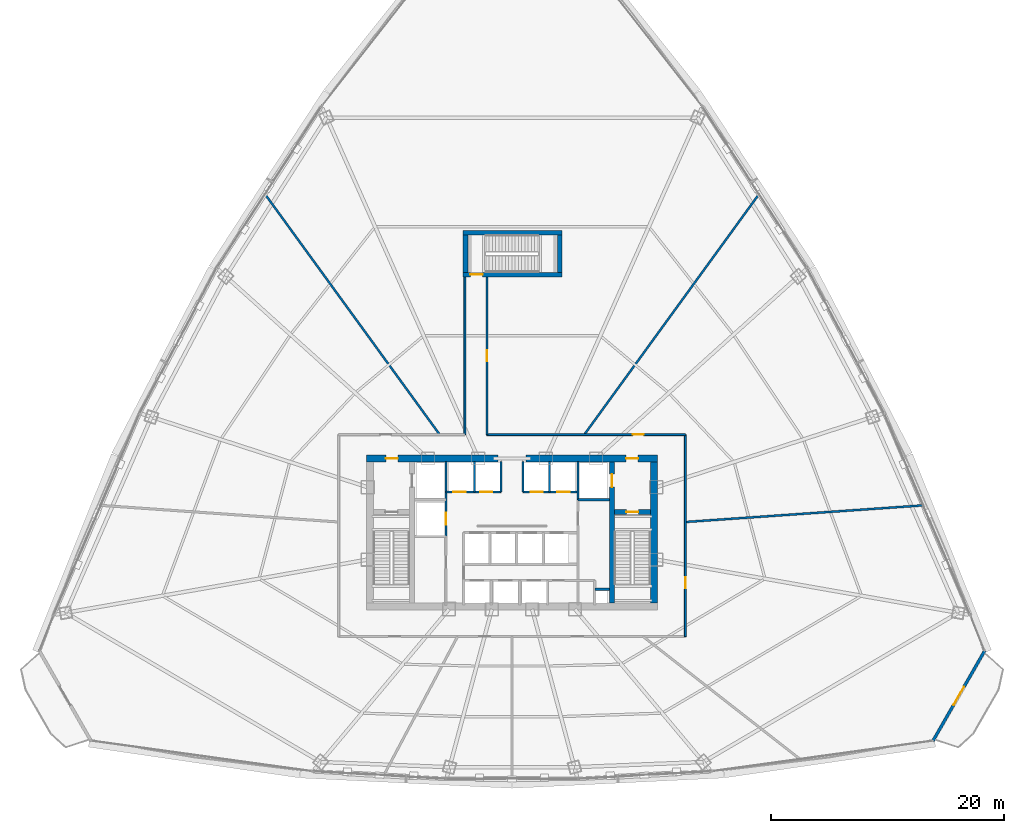
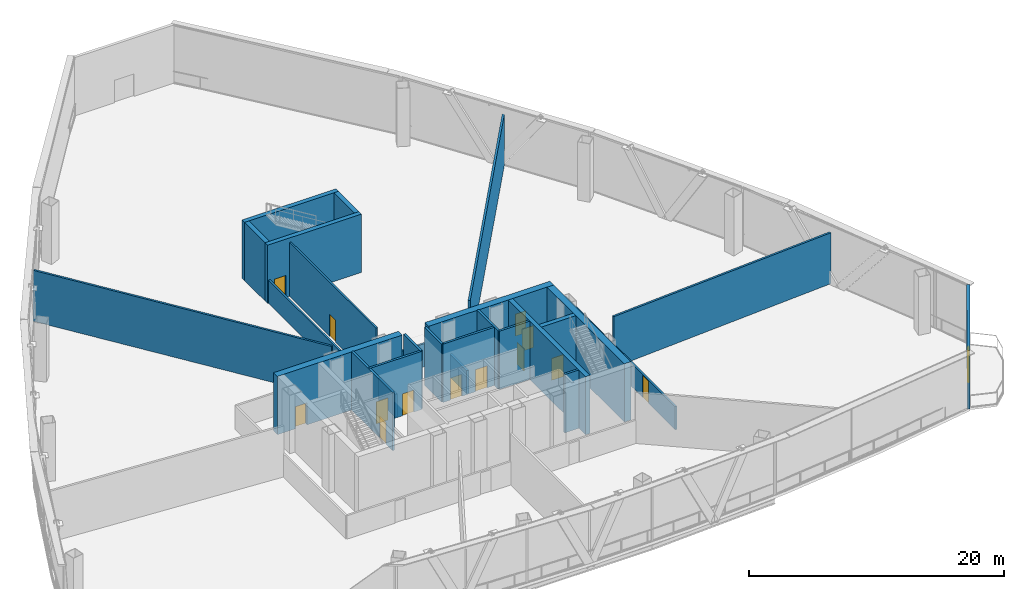
# One storey, part 29 of 36: 27 walls, 14 doors, 14 openings.
"""IFC4 building model written with IfcOpenShell, lengths in metres."""

from ifc_helpers import new_model, si_unit, direction, frame, frame_2d, origin, origin_with_axes, place, context, subcontext, project, spatial, rectangle, extrude, source, transform, mapped, material, layer, layer_set, type_object, element, fill, save


model = new_model("IFC4")

# Units and contexts
model_context = context("Model", 3, precision=1e-05, world=origin(), true_north=direction((0.0, 1.0)))
body_context = subcontext(model_context, "Body", "Model", "MODEL_VIEW")
ifc_project = project(units=[si_unit("LENGTHUNIT", "METRE"), si_unit("AREAUNIT", "SQUARE_METRE"), si_unit("VOLUMEUNIT", "CUBIC_METRE"), si_unit("PLANEANGLEUNIT", "RADIAN"), si_unit("MASSUNIT", "GRAM", prefix="KILO"), si_unit("THERMODYNAMICTEMPERATUREUNIT", "KELVIN"), si_unit("POWERUNIT", "WATT")], contexts=[model_context])

# Site, building, storey
site_placement = place(None, origin())
site = spatial("IfcSite", under=ifc_project, at=site_placement, CompositionType="ELEMENT")
building_placement = place(site_placement, origin())
building = spatial("IfcBuilding", under=site, at=building_placement, Name="Yunzhuo Pagoda Commons", CompositionType="ELEMENT")
storey_placement = place(building_placement, frame((0.0, 0.0, 119.179931640625)))
storey = spatial("IfcBuildingStorey", under=building, at=storey_placement, Name="L30", CompositionType="ELEMENT", Elevation=119.179931640625)

# Wall, opening, door
ifc_material_1 = material(Name="Precast concrete C40", Category="concrete")
ifc_layer_1 = layer(ifc_material_1, 0.260009765625)
ifc_layer_set_1 = layer_set([ifc_layer_1], Name="Precast concrete C40")
wall_type_1 = type_object("IfcWallType", Name="W-BAL1 Corner Balcony Threshold Wall 260", PredefinedType="STANDARD", material=ifc_layer_set_1)
wall_1_placement = place(storey_placement, frame((84.16162109375, 15.89208984375, 0.0), z_axis=(0.0, 0.0, 1.0), x_axis=(0.497936512869, 0.867213485338, 0.0)))
wall_1 = element("IfcWall", 1, at=wall_1_placement, inside=storey, type_object=wall_type_1, Name="L30 corner balcony wall V2", PredefinedType="STANDARD", context=body_context, shape_type="SweptSolid", body=[
    extrude(rectangle(XDim=9.01904296875, YDim=0.260009765625, at=frame_2d((4.509521484375, 0.0))), origin(), (0.0, 0.0, 1.0), 5.570068359375),
])
opening_1_placement = place(wall_1_placement, frame((3.609619140625, 0.0, 0.0)))
opening_1 = element("IfcOpeningElement", 2, at=opening_1_placement, cuts=wall_1, Name="Opening D-BAL1", PredefinedType="OPENING", context=body_context, shape_type="SweptSolid", body=[
    extrude(rectangle(XDim=1.800048828125, YDim=2.14990234375, at=frame_2d((0.89990234375, 1.074951171875))), frame((0.0, 0.14013671875, 0.0), z_axis=(0.0, -1.0, 0.0), x_axis=(1.0, 0.0, 0.0)), (0.0, 0.0, 1.0), 0.280029296875),
])
ifc_material_2 = material(Name="Anodized aluminium frame and tempered glazed leaf", Category="aluminium")
door_type_1 = type_object("IfcDoorType", Name="D-BAL1 Corner Balcony Sliding Glazed Door 1800x2150", OperationType="DOUBLE_DOOR_SLIDING", PredefinedType="DOOR", material=ifc_material_2)
shared_shape_1 = source(origin(), body_context, "Body", "SweptSolid", [
    extrude(rectangle(XDim=1.800048828125, YDim=2.14990234375, at=frame_2d((0.89990234375, 1.074951171875))), frame((0.0, 0.02490234375, 0.0), z_axis=(0.0, -1.0, 0.0), x_axis=(1.0, 0.0, 0.0)), (0.0, 0.0, 1.0), 0.050048828125),
])
door_1_placement = place(opening_1_placement, origin_with_axes())
door_1 = element("IfcDoor", 3, at=door_1_placement, inside=storey, type_object=door_type_1, Name="L30 corner balcony sliding door V2", OperationType="DOUBLE_DOOR_SLIDING", OverallHeight=2.14990234375, OverallWidth=1.800048828125, PredefinedType="DOOR", context=body_context, shape_type="MappedRepresentation", body=[
    mapped(shared_shape_1, transform((0.0, 0.0, 0.0), scale=1.0)),
])
fill(opening_1, door_1)

ifc_material_3 = material(Name="Concrete C60", Category="concrete")
ifc_layer_2 = layer(ifc_material_3, 0.60009765625)
ifc_layer_set_2 = layer_set([ifc_layer_2], Name="Concrete C60")
wall_type_2 = type_object("IfcWallType", Name="W-C02 Mid Core Shear Wall 600", PredefinedType="SHEAR", material=ifc_layer_set_2)
wall_2_placement = place(storey_placement, frame((35.5, 40.199951171875, 0.0), z_axis=(0.0, 0.0, 1.0), x_axis=(1.0, 0.0, 0.0)))
wall_2 = element("IfcWall", 4, at=wall_2_placement, inside=storey, type_object=wall_type_2, Name="L30 core shear wall NW", PredefinedType="SHEAR", context=body_context, shape_type="SweptSolid", body=[
    extrude(rectangle(XDim=11.300048828125, YDim=0.60009765625, at=frame_2d((5.64990234375, 0.0))), origin(), (0.0, 0.0, 1.0), 5.570068359375),
])
opening_2_placement = place(wall_2_placement, frame((1.64990234375, 0.0, 0.0)))
opening_2 = element("IfcOpeningElement", 5, at=opening_2_placement, cuts=wall_2, Name="Opening D-02", PredefinedType="OPENING", context=body_context, shape_type="SweptSolid", body=[
    extrude(rectangle(XDim=1.050048828125, YDim=2.10009765625, at=frame_2d((0.52490234375, 1.050048828125))), frame((0.0, 0.31005859375, 0.0), z_axis=(0.0, -1.0, 0.0), x_axis=(1.0, 0.0, 0.0)), (0.0, 0.0, 1.0), 0.6201171875),
])
ifc_material_4 = material(Name="Galvanized fire-resisting metal leaf")
door_type_2 = type_object("IfcDoorType", Name="D-02 Firefighting Lobby & Refuge Fire Door 1050x2100", OperationType="NOTDEFINED", PredefinedType="DOOR", material=ifc_material_4)
shared_shape_2 = source(origin(), body_context, "Body", "SweptSolid", [
    extrude(rectangle(XDim=1.050048828125, YDim=2.10009765625, at=frame_2d((0.52490234375, 1.050048828125))), frame((0.0, 0.02490234375, 0.0), z_axis=(0.0, -1.0, 0.0), x_axis=(1.0, 0.0, 0.0)), (0.0, 0.0, 1.0), 0.050048828125),
])
door_2_placement = place(opening_2_placement, frame((1.050048828125, 0.0, 0.0), z_axis=(0.0, 0.0, 1.0), x_axis=(-1.0, 0.0, 0.0)))
door_2 = element("IfcDoor", 6, at=door_2_placement, inside=storey, type_object=door_type_2, Name="L30 Firefighting Lobby 1 fire door", OperationType="SINGLE_SWING_LEFT", OverallHeight=2.10009765625, OverallWidth=1.050048828125, PredefinedType="DOOR", context=body_context, shape_type="MappedRepresentation", body=[
    mapped(shared_shape_2, transform((0.0, 0.0, 0.0), scale=1.0)),
])
fill(opening_2, door_2)

wall_3_placement = place(storey_placement, frame((49.199951171875, 40.199951171875, 0.0), z_axis=(0.0, 0.0, 1.0), x_axis=(1.0, 0.0, 0.0)))
wall_3 = element("IfcWall", 7, at=wall_3_placement, inside=storey, type_object=wall_type_2, Name="L30 core shear wall NE", PredefinedType="SHEAR", context=body_context, shape_type="SweptSolid", body=[
    extrude(rectangle(XDim=11.300048828125, YDim=0.60009765625, at=frame_2d((5.64990234375, 0.0))), origin(), (0.0, 0.0, 1.0), 5.570068359375),
])
opening_3_placement = place(wall_3_placement, frame((8.60009765625, 0.0, 0.0)))
opening_3 = element("IfcOpeningElement", 8, at=opening_3_placement, cuts=wall_3, Name="Opening D-02", PredefinedType="OPENING", context=body_context, shape_type="SweptSolid", body=[
    extrude(rectangle(XDim=1.050048828125, YDim=2.10009765625, at=frame_2d((0.52490234375, 1.050048828125))), frame((0.0, 0.31005859375, 0.0), z_axis=(0.0, -1.0, 0.0), x_axis=(1.0, 0.0, 0.0)), (0.0, 0.0, 1.0), 0.6201171875),
])
door_3_placement = place(opening_3_placement, frame((1.050048828125, 0.0, 0.0), z_axis=(0.0, 0.0, 1.0), x_axis=(-1.0, 0.0, 0.0)))
door_3 = element("IfcDoor", 9, at=door_3_placement, inside=storey, type_object=door_type_2, Name="L30 Firefighting Lobby 2 fire door", OperationType="SINGLE_SWING_RIGHT", OverallHeight=2.10009765625, OverallWidth=1.050048828125, PredefinedType="DOOR", context=body_context, shape_type="MappedRepresentation", body=[
    mapped(shared_shape_2, transform((0.0, 0.0, 0.0), scale=1.0)),
])
fill(opening_3, door_3)

# Wall
wall_4_placement = place(storey_placement, frame((60.199951171875, 27.800048828125, 0.0), z_axis=(0.0, 0.0, 1.0), x_axis=(0.0, 1.0, 0.0)))
element("IfcWall", 10, at=wall_4_placement, inside=storey, type_object=wall_type_2, Name="L30 core shear wall E", PredefinedType="SHEAR", context=body_context, shape_type="SweptSolid", body=[
    extrude(rectangle(XDim=12.099853515625, YDim=0.60009765625, at=frame_2d((6.0498046875, 0.0))), origin(), (0.0, 0.0, 1.0), 5.570068359375),
])

# Wall, opening, door
ifc_material_5 = material(Name="Gypsum plasterboard on acoustic stud")
ifc_layer_3 = layer(ifc_material_5, 0.159912109375)
ifc_layer_set_3 = layer_set([ifc_layer_3], Name="Gypsum plasterboard on acoustic stud")
wall_type_3 = type_object("IfcWallType", Name="W-COR1 Tower Rated Corridor Wall 160", PredefinedType="PARTITIONING", material=ifc_layer_set_3)
wall_5_placement = place(storey_placement, frame((45.85009765625, 55.780029296875, 0.0), z_axis=(0.0, 0.0, 1.0), x_axis=(0.0, -1.0, 0.0)))
wall_5 = element("IfcWall", 11, at=wall_5_placement, inside=storey, type_object=wall_type_3, Name="L30 interior wall IW-L30-SCW01", PredefinedType="PARTITIONING", context=body_context, shape_type="SweptSolid", body=[
    extrude(rectangle(XDim=13.530029296875, YDim=0.159912109375, at=frame_2d((6.76513671875, 0.0))), origin(), (0.0, 0.0, 1.0), 5.170166015625),
])
opening_4_placement = place(wall_5_placement, frame((6.2900390625, 0.0, 0.0)))
opening_4 = element("IfcOpeningElement", 12, at=opening_4_placement, cuts=wall_5, Name="Opening D-06", PredefinedType="OPENING", context=body_context, shape_type="SweptSolid", body=[
    extrude(rectangle(XDim=0.949951171875, YDim=2.10009765625, at=frame_2d((0.47509765625, 1.050048828125))), frame((0.0, 0.08984375, 0.0), z_axis=(0.0, -1.0, 0.0), x_axis=(1.0, 0.0, 0.0)), (0.0, 0.0, 1.0), 0.179931640625),
])
door_type_3 = type_object("IfcDoorType", Name="D-06 Co-Living Suite Entrance Fire Door 950x2100", OperationType="NOTDEFINED", PredefinedType="DOOR", material=ifc_material_4)
shared_shape_3 = source(origin(), body_context, "Body", "SweptSolid", [
    extrude(rectangle(XDim=0.949951171875, YDim=2.10009765625, at=frame_2d((0.47509765625, 1.050048828125))), frame((0.0, 0.02490234375, 0.0), z_axis=(0.0, -1.0, 0.0), x_axis=(1.0, 0.0, 0.0)), (0.0, 0.0, 1.0), 0.050048828125),
])
door_4_placement = place(opening_4_placement, origin_with_axes())
door_4 = element("IfcDoor", 13, at=door_4_placement, inside=storey, type_object=door_type_3, Name="L30 Riverfront Study Commons door", OperationType="SINGLE_SWING_RIGHT", OverallHeight=2.10009765625, OverallWidth=0.949951171875, PredefinedType="DOOR", context=body_context, shape_type="MappedRepresentation", body=[
    mapped(shared_shape_3, transform((0.0, 0.0, 0.0), scale=1.0)),
])
fill(opening_4, door_4)

wall_6_placement = place(storey_placement, frame((45.85009765625, 42.25, 0.0), z_axis=(0.0, 0.0, 1.0), x_axis=(1.0, 0.0, 0.0)))
wall_6 = element("IfcWall", 14, at=wall_6_placement, inside=storey, type_object=wall_type_3, Name="L30 interior wall IW-L30-SCW02", PredefinedType="PARTITIONING", context=body_context, shape_type="SweptSolid", body=[
    extrude(rectangle(XDim=17.0498046875, YDim=0.159912109375, at=frame_2d((8.52490234375, 0.0))), origin(), (0.0, 0.0, 1.0), 2.219970703125),
])
opening_5_placement = place(wall_6_placement, frame((12.531005859375, 0.0, 0.0)))
opening_5 = element("IfcOpeningElement", 15, at=opening_5_placement, cuts=wall_6, Name="Opening D-06", PredefinedType="OPENING", context=body_context, shape_type="SweptSolid", body=[
    extrude(rectangle(XDim=0.949951171875, YDim=2.10009765625, at=frame_2d((0.47509765625, 1.050048828125))), frame((0.0, 0.08984375, 0.0), z_axis=(0.0, -1.0, 0.0), x_axis=(1.0, 0.0, 0.0)), (0.0, 0.0, 1.0), 0.179931640625),
])
door_5_placement = place(opening_5_placement, origin_with_axes())
door_5 = element("IfcDoor", 16, at=door_5_placement, inside=storey, type_object=door_type_3, Name="L30 Low-to-Mid Sky Lobby Gallery door", OperationType="SINGLE_SWING_LEFT", OverallHeight=2.10009765625, OverallWidth=0.949951171875, PredefinedType="DOOR", context=body_context, shape_type="MappedRepresentation", body=[
    mapped(shared_shape_3, transform((0.0, 0.0, 0.0), scale=1.0)),
])
fill(opening_5, door_5)

wall_7_placement = place(storey_placement, frame((62.89990234375, 42.25, 0.0), z_axis=(0.0, 0.0, 1.0), x_axis=(0.0, -1.0, 0.0)))
wall_7 = element("IfcWall", 17, at=wall_7_placement, inside=storey, type_object=wall_type_3, Name="L30 interior wall IW-L30-SCW03", PredefinedType="PARTITIONING", context=body_context, shape_type="SweptSolid", body=[
    extrude(rectangle(XDim=17.35009765625, YDim=0.159912109375, at=frame_2d((8.675048828125, 0.0))), origin(), (0.0, 0.0, 1.0), 2.219970703125),
])
opening_6_placement = place(wall_7_placement, frame((12.254150390625, 0.0, 0.0)))
opening_6 = element("IfcOpeningElement", 18, at=opening_6_placement, cuts=wall_7, Name="Opening D-06", PredefinedType="OPENING", context=body_context, shape_type="SweptSolid", body=[
    extrude(rectangle(XDim=0.949951171875, YDim=2.10009765625, at=frame_2d((0.47509765625, 1.050048828125))), frame((0.0, 0.08984375, 0.0), z_axis=(0.0, -1.0, 0.0), x_axis=(1.0, 0.0, 0.0)), (0.0, 0.0, 1.0), 0.179931640625),
])
door_6_placement = place(opening_6_placement, origin_with_axes())
door_6 = element("IfcDoor", 19, at=door_6_placement, inside=storey, type_object=door_type_3, Name="L30 Sky Lobby Reading Commons door", OperationType="SINGLE_SWING_LEFT", OverallHeight=2.10009765625, OverallWidth=0.949951171875, PredefinedType="DOOR", context=body_context, shape_type="MappedRepresentation", body=[
    mapped(shared_shape_3, transform((0.0, 0.0, 0.0), scale=1.0)),
])
fill(opening_6, door_6)

# Walls
wall_8_placement = place(storey_placement, frame((43.949951171875, 42.25, 0.0), z_axis=(0.0, 0.0, 1.0), x_axis=(0.0, 1.0, 0.0)))
element("IfcWall", 20, at=wall_8_placement, inside=storey, type_object=wall_type_3, Name="L30 interior wall IW-L30-SCW07", PredefinedType="PARTITIONING", context=body_context, shape_type="SweptSolid", body=[
    extrude(rectangle(XDim=13.530029296875, YDim=0.159912109375, at=frame_2d((6.76513671875, 0.0))), origin(), (0.0, 0.0, 1.0), 2.219970703125),
])
ifc_layer_4 = layer(ifc_material_5, 0.179931640625)
ifc_layer_set_4 = layer_set([ifc_layer_4], Name="Gypsum plasterboard on acoustic stud")
wall_type_4 = type_object("IfcWallType", Name="W-PRT2 Acoustic Unit Demising Wall 180", PredefinedType="PARTITIONING", material=ifc_layer_set_4)
wall_9_placement = place(storey_placement, frame((62.89990234375, 34.741943359375, 0.0), z_axis=(0.0, 0.0, 1.0), x_axis=(0.99756459993, 0.069748612653, 0.0)))
element("IfcWall", 21, at=wall_9_placement, inside=storey, type_object=wall_type_4, Name="L30 interior wall IW-L30-SRAD1", PredefinedType="PARTITIONING", context=body_context, shape_type="SweptSolid", body=[
    extrude(rectangle(XDim=20.518798828125, YDim=0.179931640625, at=frame_2d((10.25927734375, 0.0))), origin(), (0.0, 0.0, 1.0), 4.8701171875),
])
for number, where, z_axis, x_axis, name in (
    (22, (54.2119140625, 42.25, 0.0), (0.0, 0.0, 1.0), (0.587780549385, 0.809020411216, 0.0), "L30 interior wall IW-L30-SRAD2"),
    (23, (41.7880859375, 42.25, 0.0), (0.0, 0.0, 1.0), (-0.587780549385, 0.809020411216, 0.0), "L30 interior wall IW-L30-SRAD3"),
):
    element("IfcWall", number, at=place(storey_placement, frame(where, z_axis=z_axis, x_axis=x_axis)), inside=storey, type_object=wall_type_4, Name=name, PredefinedType="PARTITIONING", context=body_context, shape_type="SweptSolid", body=[
        extrude(rectangle(XDim=25.574951171875, YDim=0.179931640625, at=frame_2d((12.78759765625, 0.0))), origin(), (0.0, 0.0, 1.0), 4.8701171875),
    ])

# Wall, opening, door
ifc_layer_5 = layer(ifc_material_3, 0.39990234375)
ifc_layer_set_5 = layer_set([ifc_layer_5], Name="Concrete C60")
wall_type_5 = type_object("IfcWallType", Name="W-S01 Internal Core Shear Web 400", PredefinedType="SHEAR", material=ifc_layer_set_5)
wall_10_placement = place(storey_placement, frame((56.60009765625, 27.800048828125, 0.0), z_axis=(0.0, 0.0, 1.0), x_axis=(0.0, 1.0, 0.0)))
wall_10 = element("IfcWall", 24, at=wall_10_placement, inside=storey, type_object=wall_type_5, Name="L30 core shear wall WEBE", PredefinedType="SHEAR", context=body_context, shape_type="SweptSolid", body=[
    extrude(rectangle(XDim=12.099853515625, YDim=0.39990234375, at=frame_2d((6.0498046875, 0.0))), origin(), (0.0, 0.0, 1.0), 5.570068359375),
])
opening_7_placement = place(wall_10_placement, frame((9.949951171875, 0.0, 0.0)))
opening_7 = element("IfcOpeningElement", 25, at=opening_7_placement, cuts=wall_10, Name="Opening LD-01", PredefinedType="OPENING", context=body_context, shape_type="SweptSolid", body=[
    extrude(rectangle(XDim=1.10009765625, YDim=2.10009765625, at=frame_2d((0.550048828125, 1.050048828125))), frame((0.0, 0.2099609375, 0.0), z_axis=(0.0, -1.0, 0.0), x_axis=(1.0, 0.0, 0.0)), (0.0, 0.0, 1.0), 0.419921875),
])
door_type_4 = type_object("IfcDoorType", Name="LD-01 Firefighting Lift Landing Door 1100x2100", OperationType="DOUBLE_DOOR_SLIDING", PredefinedType="DOOR", material=ifc_material_4)
shared_shape_4 = source(origin(), body_context, "Body", "SweptSolid", [
    extrude(rectangle(XDim=1.10009765625, YDim=2.10009765625, at=frame_2d((0.550048828125, 1.050048828125))), frame((0.0, 0.02490234375, 0.0), z_axis=(0.0, -1.0, 0.0), x_axis=(1.0, 0.0, 0.0)), (0.0, 0.0, 1.0), 0.050048828125),
])
door_7_placement = place(opening_7_placement, origin_with_axes())
door_7 = element("IfcDoor", 26, at=door_7_placement, inside=storey, type_object=door_type_4, Name="L30 Firefighting lift FL-2 landing door", OperationType="DOUBLE_DOOR_SLIDING", OverallHeight=2.10009765625, OverallWidth=1.10009765625, PredefinedType="DOOR", context=body_context, shape_type="MappedRepresentation", body=[
    mapped(shared_shape_4, transform((0.0, 0.0, 0.0), scale=1.0)),
])
fill(opening_7, door_7)

wall_11_placement = place(storey_placement, frame((56.800048828125, 35.60009765625, 0.0), z_axis=(0.0, 0.0, 1.0), x_axis=(1.0, 0.0, 0.0)))
wall_11 = element("IfcWall", 27, at=wall_11_placement, inside=storey, type_object=wall_type_5, Name="L30 core shear wall STE", PredefinedType="SHEAR", context=body_context, shape_type="SweptSolid", body=[
    extrude(rectangle(XDim=3.099853515625, YDim=0.39990234375, at=frame_2d((1.5498046875, 0.0))), origin(), (0.0, 0.0, 1.0), 5.570068359375),
])
opening_8_placement = place(wall_11_placement, frame((1.02001953125, 0.0, 0.0)))
opening_8 = element("IfcOpeningElement", 28, at=opening_8_placement, cuts=wall_11, Name="Opening D-01", PredefinedType="OPENING", context=body_context, shape_type="SweptSolid", body=[
    extrude(rectangle(XDim=1.050048828125, YDim=2.10009765625, at=frame_2d((0.52490234375, 1.050048828125))), frame((0.0, 0.2099609375, 0.0), z_axis=(0.0, -1.0, 0.0), x_axis=(1.0, 0.0, 0.0)), (0.0, 0.0, 1.0), 0.419921875),
])
door_type_5 = type_object("IfcDoorType", Name="D-01 Smokeproof Stair Fire Door 1050x2100", OperationType="NOTDEFINED", PredefinedType="DOOR", material=ifc_material_4)
door_8_placement = place(opening_8_placement, frame((1.050048828125, 0.0, 0.0), z_axis=(0.0, 0.0, 1.0), x_axis=(-1.0, 0.0, 0.0)))
door_8 = element("IfcDoor", 29, at=door_8_placement, inside=storey, type_object=door_type_5, Name="L30 Stair ST2 fire door", OperationType="SINGLE_SWING_RIGHT", OverallHeight=2.10009765625, OverallWidth=1.050048828125, PredefinedType="DOOR", context=body_context, shape_type="MappedRepresentation", body=[
    mapped(shared_shape_2, transform((0.0, 0.0, 0.0), scale=1.0)),
])
fill(opening_8, door_8)

# Wall
wall_12_placement = place(storey_placement, frame((43.800048828125, 59.60009765625, 0.0), z_axis=(0.0, 0.0, 1.0), x_axis=(1.0, 0.0, 0.0)))
element("IfcWall", 30, at=wall_12_placement, inside=storey, type_object=wall_type_5, Name="L30 ST3 structural stair wall N", PredefinedType="SHEAR", context=body_context, shape_type="SweptSolid", body=[
    extrude(rectangle(XDim=8.5, YDim=0.39990234375, at=frame_2d((4.25, 0.0))), origin(), (0.0, 0.0, 1.0), 5.570068359375),
])

# Wall, opening, door
wall_13_placement = place(storey_placement, frame((43.800048828125, 56.0, 0.0), z_axis=(0.0, 0.0, 1.0), x_axis=(1.0, 0.0, 0.0)))
wall_13 = element("IfcWall", 31, at=wall_13_placement, inside=storey, type_object=wall_type_5, Name="L30 ST3 structural stair wall S", PredefinedType="SHEAR", context=body_context, shape_type="SweptSolid", body=[
    extrude(rectangle(XDim=8.5, YDim=0.39990234375, at=frame_2d((4.25, 0.0))), origin(), (0.0, 0.0, 1.0), 5.570068359375),
])
opening_9_placement = place(wall_13_placement, frame((0.6201171875, 0.0, 0.0)))
opening_9 = element("IfcOpeningElement", 32, at=opening_9_placement, cuts=wall_13, Name="Opening D-01", PredefinedType="OPENING", context=body_context, shape_type="SweptSolid", body=[
    extrude(rectangle(XDim=1.050048828125, YDim=2.10009765625, at=frame_2d((0.52490234375, 1.050048828125))), frame((0.0, 0.2099609375, 0.0), z_axis=(0.0, -1.0, 0.0), x_axis=(1.0, 0.0, 0.0)), (0.0, 0.0, 1.0), 0.419921875),
])
door_9_placement = place(opening_9_placement, frame((1.050048828125, 0.0, 0.0), z_axis=(0.0, 0.0, 1.0), x_axis=(-1.0, 0.0, 0.0)))
door_9 = element("IfcDoor", 33, at=door_9_placement, inside=storey, type_object=door_type_5, Name="L30 Stair ST3 fire door", OperationType="SINGLE_SWING_LEFT", OverallHeight=2.10009765625, OverallWidth=1.050048828125, PredefinedType="DOOR", context=body_context, shape_type="MappedRepresentation", body=[
    mapped(shared_shape_2, transform((0.0, 0.0, 0.0), scale=1.0)),
])
fill(opening_9, door_9)

# Walls
for number, where, z_axis, x_axis, name in (
    (34, (44.0, 56.199951171875, 0.0), (0.0, 0.0, 1.0), (0.0, 1.0, 0.0), "L30 ST3 structural stair wall W"),
    (35, (52.10009765625, 56.199951171875, 0.0), (0.0, 0.0, 1.0), (0.0, 1.0, 0.0), "L30 ST3 structural stair wall E"),
):
    element("IfcWall", number, at=place(storey_placement, frame(where, z_axis=z_axis, x_axis=x_axis)), inside=storey, type_object=wall_type_5, Name=name, PredefinedType="SHEAR", context=body_context, shape_type="SweptSolid", body=[
        extrude(rectangle(XDim=3.199951171875, YDim=0.39990234375, at=frame_2d((1.60009765625, 0.0))), origin(), (0.0, 0.0, 1.0), 5.570068359375),
    ])

# Wall, opening, door
ifc_material_6 = material(Name="Concrete C40", Category="concrete")
ifc_layer_6 = layer(ifc_material_6, 0.199951171875)
ifc_layer_set_6 = layer_set([ifc_layer_6], Name="Concrete C40")
wall_type_6 = type_object("IfcWallType", Name="W-SHF Shaft & Stair Enclosure Wall 200", PredefinedType="SOLIDWALL", material=ifc_layer_set_6)
wall_14_placement = place(storey_placement, frame((42.320068359375, 33.5, 0.0), z_axis=(0.0, 0.0, 1.0), x_axis=(0.0, 1.0, 0.0)))
wall_14 = element("IfcWall", 36, at=wall_14_placement, inside=storey, type_object=wall_type_6, Name="L30 interior wall IW-L30-FL1E", PredefinedType="SOLIDWALL", context=body_context, shape_type="SweptSolid", body=[
    extrude(rectangle(XDim=6.449951171875, YDim=0.199951171875, at=frame_2d((3.22509765625, 0.0))), origin(), (0.0, 0.0, 1.0), 5.570068359375),
])
opening_10_placement = place(wall_14_placement, frame((1.0, 0.0, 0.0)))
opening_10 = element("IfcOpeningElement", 37, at=opening_10_placement, cuts=wall_14, Name="Opening LD-02", PredefinedType="OPENING", context=body_context, shape_type="SweptSolid", body=[
    extrude(rectangle(XDim=1.050048828125, YDim=2.10009765625, at=frame_2d((0.52490234375, 1.050048828125))), frame((0.0, 0.10986328125, 0.0), z_axis=(0.0, -1.0, 0.0), x_axis=(1.0, 0.0, 0.0)), (0.0, 0.0, 1.0), 0.219970703125),
])
door_type_6 = type_object("IfcDoorType", Name="LD-02 Passenger Lift Landing Door 1050x2100", OperationType="DOUBLE_DOOR_SLIDING", PredefinedType="DOOR", material=ifc_material_4)
door_10_placement = place(opening_10_placement, origin_with_axes())
door_10 = element("IfcDoor", 38, at=door_10_placement, inside=storey, type_object=door_type_6, Name="L30 Service lift SL-1 landing door", OperationType="DOUBLE_DOOR_SLIDING", OverallHeight=2.10009765625, OverallWidth=1.050048828125, PredefinedType="DOOR", context=body_context, shape_type="MappedRepresentation", body=[
    mapped(shared_shape_2, transform((0.0, 0.0, 0.0), scale=1.0)),
])
fill(opening_10, door_10)

# Walls
wall_15_placement = place(storey_placement, frame((53.679931640625, 36.64990234375, 0.0), z_axis=(0.0, 0.0, 1.0), x_axis=(0.0, 1.0, 0.0)))
element("IfcWall", 39, at=wall_15_placement, inside=storey, type_object=wall_type_6, Name="L30 interior wall IW-L30-FL2W", PredefinedType="SOLIDWALL", context=body_context, shape_type="SweptSolid", body=[
    extrude(rectangle(XDim=3.300048828125, YDim=0.199951171875, at=frame_2d((1.64990234375, 0.0))), origin(), (0.0, 0.0, 1.0), 5.570068359375),
])
wall_16_placement = place(storey_placement, frame((53.679931640625, 36.64990234375, 0.0), z_axis=(0.0, 0.0, 1.0), x_axis=(1.0, 0.0, 0.0)))
element("IfcWall", 40, at=wall_16_placement, inside=storey, type_object=wall_type_6, Name="L30 interior wall IW-L30-FL2S", PredefinedType="SOLIDWALL", context=body_context, shape_type="SweptSolid", body=[
    extrude(rectangle(XDim=2.719970703125, YDim=0.199951171875, at=frame_2d((1.35986328125, 0.0))), origin(), (0.0, 0.0, 1.0), 5.570068359375),
])

# Wall, openings, doors
wall_17_placement = place(storey_placement, frame((42.320068359375, 37.320068359375, 0.0), z_axis=(0.0, 0.0, 1.0), x_axis=(1.0, 0.0, 0.0)))
wall_17 = element("IfcWall", 41, at=wall_17_placement, inside=storey, type_object=wall_type_6, Name="L30 interior wall IW-L30-LBNW", PredefinedType="SOLIDWALL", context=body_context, shape_type="SweptSolid", body=[
    extrude(rectangle(XDim=4.72998046875, YDim=0.199951171875, at=frame_2d((2.364990234375, 0.0))), origin(), (0.0, 0.0, 1.0), 5.570068359375),
])
opening_11_placement = place(wall_17_placement, frame((0.64990234375, 0.0, 0.0)))
opening_11 = element("IfcOpeningElement", 42, at=opening_11_placement, cuts=wall_17, Name="Opening LD-02", PredefinedType="OPENING", context=body_context, shape_type="SweptSolid", body=[
    extrude(rectangle(XDim=1.050048828125, YDim=2.10009765625, at=frame_2d((0.52490234375, 1.050048828125))), frame((0.0, 0.10986328125, 0.0), z_axis=(0.0, -1.0, 0.0), x_axis=(1.0, 0.0, 0.0)), (0.0, 0.0, 1.0), 0.219970703125),
])
opening_12_placement = place(wall_17_placement, frame((2.949951171875, 0.0, 0.0)))
opening_12 = element("IfcOpeningElement", 43, at=opening_12_placement, cuts=wall_17, Name="Opening LD-02", PredefinedType="OPENING", context=body_context, shape_type="SweptSolid", body=[
    extrude(rectangle(XDim=1.050048828125, YDim=2.10009765625, at=frame_2d((0.52490234375, 1.050048828125))), frame((0.0, 0.10986328125, 0.0), z_axis=(0.0, -1.0, 0.0), x_axis=(1.0, 0.0, 0.0)), (0.0, 0.0, 1.0), 0.219970703125),
])
door_11_placement = place(opening_11_placement, frame((1.050048828125, 0.0, 0.0), z_axis=(0.0, 0.0, 1.0), x_axis=(-1.0, 0.0, 0.0)))
door_11 = element("IfcDoor", 44, at=door_11_placement, inside=storey, type_object=door_type_6, Name="L30 Passenger lift PL-L1 landing door", OperationType="DOUBLE_DOOR_SLIDING", OverallHeight=2.10009765625, OverallWidth=1.050048828125, PredefinedType="DOOR", context=body_context, shape_type="MappedRepresentation", body=[
    mapped(shared_shape_2, transform((0.0, 0.0, 0.0), scale=1.0)),
])
fill(opening_11, door_11)
door_12_placement = place(opening_12_placement, frame((1.050048828125, 0.0, 0.0), z_axis=(0.0, 0.0, 1.0), x_axis=(-1.0, 0.0, 0.0)))
door_12 = element("IfcDoor", 45, at=door_12_placement, inside=storey, type_object=door_type_6, Name="L30 Passenger lift PL-L2 landing door", OperationType="DOUBLE_DOOR_SLIDING", OverallHeight=2.10009765625, OverallWidth=1.050048828125, PredefinedType="DOOR", context=body_context, shape_type="MappedRepresentation", body=[
    mapped(shared_shape_2, transform((0.0, 0.0, 0.0), scale=1.0)),
])
fill(opening_12, door_12)

wall_18_placement = place(storey_placement, frame((48.949951171875, 37.320068359375, 0.0), z_axis=(0.0, 0.0, 1.0), x_axis=(1.0, 0.0, 0.0)))
wall_18 = element("IfcWall", 46, at=wall_18_placement, inside=storey, type_object=wall_type_6, Name="L30 interior wall IW-L30-LBNE", PredefinedType="SOLIDWALL", context=body_context, shape_type="SweptSolid", body=[
    extrude(rectangle(XDim=4.72998046875, YDim=0.199951171875, at=frame_2d((2.364990234375, 0.0))), origin(), (0.0, 0.0, 1.0), 5.570068359375),
])
opening_13_placement = place(wall_18_placement, frame((0.64990234375, 0.0, 0.0)))
opening_13 = element("IfcOpeningElement", 47, at=opening_13_placement, cuts=wall_18, Name="Opening LD-02", PredefinedType="OPENING", context=body_context, shape_type="SweptSolid", body=[
    extrude(rectangle(XDim=1.050048828125, YDim=2.10009765625, at=frame_2d((0.52490234375, 1.050048828125))), frame((0.0, 0.10986328125, 0.0), z_axis=(0.0, -1.0, 0.0), x_axis=(1.0, 0.0, 0.0)), (0.0, 0.0, 1.0), 0.219970703125),
])
opening_14_placement = place(wall_18_placement, frame((2.949951171875, 0.0, 0.0)))
opening_14 = element("IfcOpeningElement", 48, at=opening_14_placement, cuts=wall_18, Name="Opening LD-02", PredefinedType="OPENING", context=body_context, shape_type="SweptSolid", body=[
    extrude(rectangle(XDim=1.050048828125, YDim=2.10009765625, at=frame_2d((0.52490234375, 1.050048828125))), frame((0.0, 0.10986328125, 0.0), z_axis=(0.0, -1.0, 0.0), x_axis=(1.0, 0.0, 0.0)), (0.0, 0.0, 1.0), 0.219970703125),
])
door_13_placement = place(opening_13_placement, frame((1.050048828125, 0.0, 0.0), z_axis=(0.0, 0.0, 1.0), x_axis=(-1.0, 0.0, 0.0)))
door_13 = element("IfcDoor", 49, at=door_13_placement, inside=storey, type_object=door_type_6, Name="L30 Passenger lift PL-L3 landing door", OperationType="DOUBLE_DOOR_SLIDING", OverallHeight=2.10009765625, OverallWidth=1.050048828125, PredefinedType="DOOR", context=body_context, shape_type="MappedRepresentation", body=[
    mapped(shared_shape_2, transform((0.0, 0.0, 0.0), scale=1.0)),
])
fill(opening_13, door_13)
door_14_placement = place(opening_14_placement, frame((1.050048828125, 0.0, 0.0), z_axis=(0.0, 0.0, 1.0), x_axis=(-1.0, 0.0, 0.0)))
door_14 = element("IfcDoor", 50, at=door_14_placement, inside=storey, type_object=door_type_6, Name="L30 Passenger lift PL-L4 landing door", OperationType="DOUBLE_DOOR_SLIDING", OverallHeight=2.10009765625, OverallWidth=1.050048828125, PredefinedType="DOOR", context=body_context, shape_type="MappedRepresentation", body=[
    mapped(shared_shape_2, transform((0.0, 0.0, 0.0), scale=1.0)),
])
fill(opening_14, door_14)

# Walls
for number, where, z_axis, x_axis, name in (
    (51, (47.050048828125, 37.320068359375, 0.0), (0.0, 0.0, 1.0), (0.0, 1.0, 0.0), "L30 interior wall IW-L30-THRW"),
    (52, (48.949951171875, 37.320068359375, 0.0), (0.0, 0.0, 1.0), (0.0, 1.0, 0.0), "L30 interior wall IW-L30-THRE"),
):
    element("IfcWall", number, at=place(storey_placement, frame(where, z_axis=z_axis, x_axis=x_axis)), inside=storey, type_object=wall_type_6, Name=name, PredefinedType="SOLIDWALL", context=body_context, shape_type="SweptSolid", body=[
        extrude(rectangle(XDim=2.6298828125, YDim=0.199951171875, at=frame_2d((1.31494140625, 0.0))), origin(), (0.0, 0.0, 1.0), 5.570068359375),
    ])
for number, where, z_axis, x_axis, name in (
    (53, (44.77001953125, 37.320068359375, 0.0), (0.0, 0.0, 1.0), (0.0, 1.0, 0.0), "L30 interior wall IW-L30-PLL12"),
    (54, (51.22998046875, 37.320068359375, 0.0), (0.0, 0.0, 1.0), (0.0, 1.0, 0.0), "L30 interior wall IW-L30-PLL34"),
):
    element("IfcWall", number, at=place(storey_placement, frame(where, z_axis=z_axis, x_axis=x_axis)), inside=storey, type_object=wall_type_6, Name=name, PredefinedType="SOLIDWALL", context=body_context, shape_type="SweptSolid", body=[
        extrude(rectangle(XDim=2.6298828125, YDim=0.199951171875, at=frame_2d((1.31494140625, 0.0))), origin(), (0.0, 0.0, 1.0), 2.219970703125),
    ])
wall_19_placement = place(storey_placement, frame((55.1201171875, 28.949951171875, 0.0), z_axis=(0.0, 0.0, 1.0), x_axis=(1.0, 0.0, 0.0)))
element("IfcWall", 55, at=wall_19_placement, inside=storey, type_object=wall_type_6, Name="L30 interior wall IW-L30-RSHFN", PredefinedType="SOLIDWALL", context=body_context, shape_type="SweptSolid", body=[
    extrude(rectangle(XDim=1.27978515625, YDim=0.199951171875, at=frame_2d((0.639892578125, 0.0))), origin(), (0.0, 0.0, 1.0), 5.570068359375),
])

save(model, "model.ifc")
